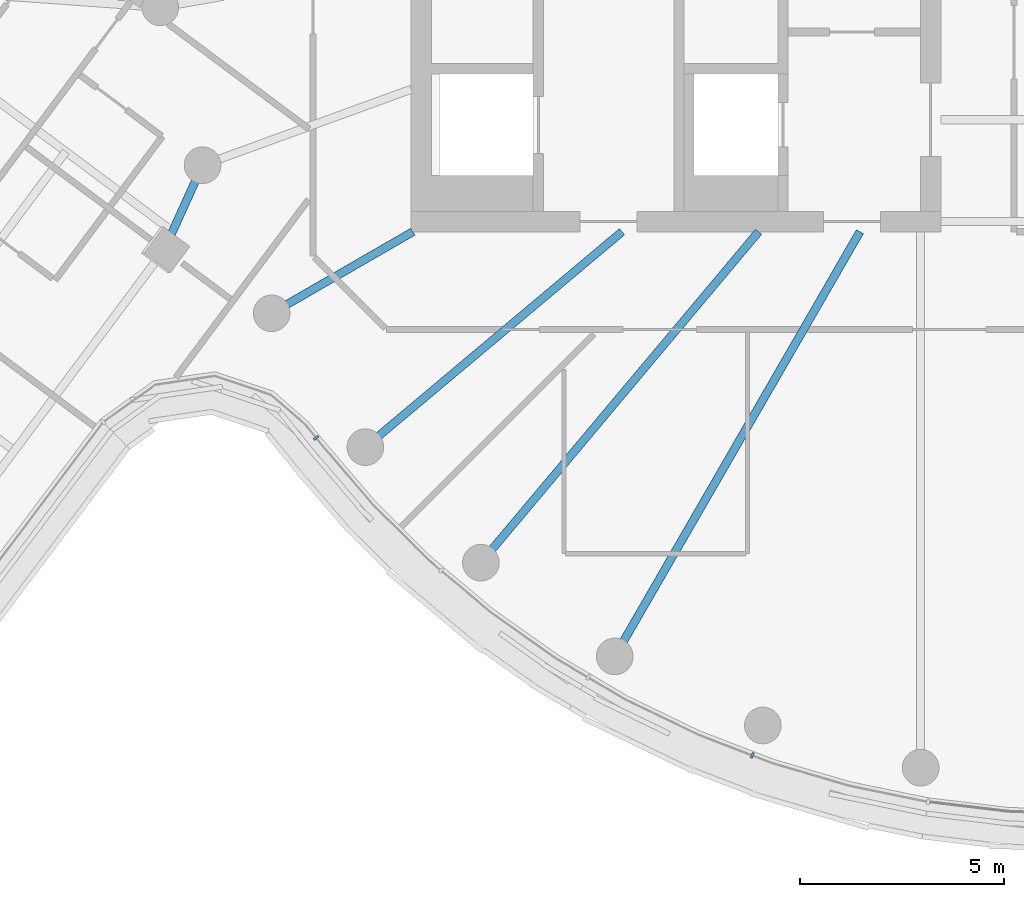
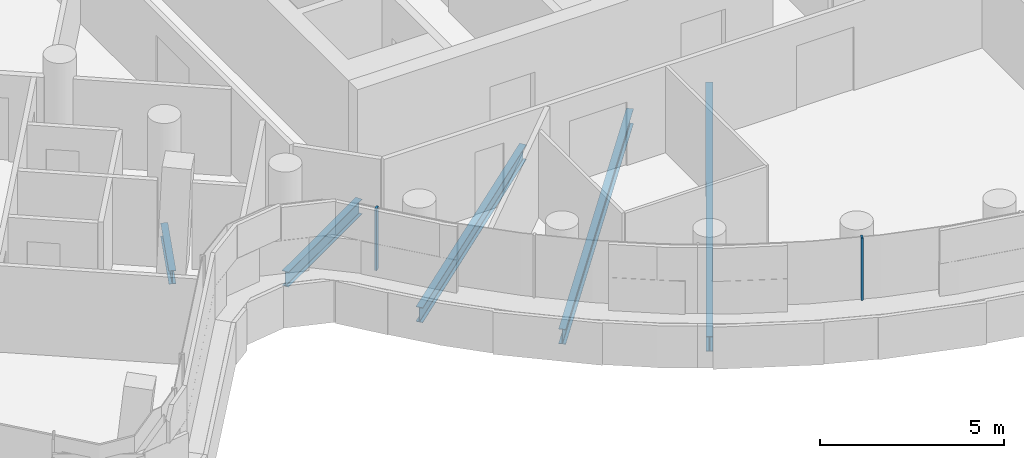
# One storey, part 3 of 27: 5 beams, 2 members, 1 element without a shape of its own.
"""IFC4 building model written with IfcOpenShell, lengths in metres."""

from ifc_helpers import new_model, si_unit, direction, frame, origin, origin_2d, place, context, subcontext, project, spatial, rectangle, i_section, extrude, material, layer, layer_set, material_profile, profile_set, type_object, element, aggregate, save


model = new_model("IFC4")

# Units and contexts
model_context = context("Model", 3, precision=1e-05, world=origin(), true_north=direction((0.0, 1.0)))
body_context = subcontext(model_context, "Body", "Model", "MODEL_VIEW")
ifc_project = project(units=[si_unit("LENGTHUNIT", "METRE"), si_unit("AREAUNIT", "SQUARE_METRE"), si_unit("VOLUMEUNIT", "CUBIC_METRE"), si_unit("PLANEANGLEUNIT", "RADIAN"), si_unit("MASSUNIT", "GRAM", prefix="KILO")], contexts=[model_context])

# Site, building, storey
site_placement = place(None, origin())
site = spatial("IfcSite", under=ifc_project, at=site_placement, CompositionType="ELEMENT")
building_placement = place(site_placement, origin())
building = spatial("IfcBuilding", under=site, at=building_placement, Name="Tamarind Cross Interchange Tower", CompositionType="ELEMENT")
storey_placement = place(building_placement, frame((0.0, 0.0, 227.10009765625)))
storey = spatial("IfcBuildingStorey", under=building, at=storey_placement, Name="L57", CompositionType="ELEMENT", Elevation=227.10009765625)

# Beams
ifc_material_1 = material(Name="Steel Q355B", Category="steel")
ifc_material_profile_1 = material_profile(ifc_material_1, i_section(OverallWidth=0.198974609375, OverallDepth=0.446044921875, WebThickness=0.008056640625, FlangeThickness=0.011962890625, FilletRadius=0.012939453125, at=origin_2d()), Name="HN 446x199x8x12")
ifc_profile_set_1 = profile_set([ifc_material_profile_1], Name="Steel Q355B")
beam_type_1 = type_object("IfcBeamType", Name="Composite beam HN 446x199x8x12 Q355B", PredefinedType="BEAM", material=ifc_profile_set_1)
beam_1_placement = place(storey_placement, frame((-22.55322265625, -9.941650390625, -0.363037109375), z_axis=(0.412680366167, 0.910875905588, 0.0), x_axis=(-0.910875905588, 0.412680366167, 0.0)))
element("IfcBeam", 1, at=beam_1_placement, inside=storey, type_object=beam_type_1, Name="Beam W-linkep", PredefinedType="BEAM", context=body_context, shape_type="SweptSolid", body=[
    extrude(i_section(OverallWidth=0.198974609375, OverallDepth=0.446044921875, WebThickness=0.008056640625, FlangeThickness=0.011962890625, FilletRadius=0.012939453125, at=origin_2d()), origin(), (0.0, 0.0, 1.0), 2.2783203125),
])
ifc_material_profile_2 = material_profile(ifc_material_1, i_section(OverallWidth=0.198974609375, OverallDepth=0.49609375, WebThickness=0.009033203125, FlangeThickness=0.013916015625, FilletRadius=0.012939453125, at=origin_2d()), Name="HN 496x199x9x14")
ifc_profile_set_2 = profile_set([ifc_material_profile_2], Name="Steel Q355B")
beam_type_2 = type_object("IfcBeamType", Name="Composite beam HN 496x199x9x14 Q355B", PredefinedType="BEAM", material=ifc_profile_set_2)
beam_2_placement = place(storey_placement, frame((-19.918701171875, -11.5, -0.38818359375), z_axis=(0.866026010844, 0.49999894854, 0.0), x_axis=(-0.49999894854, 0.866026010844, 0.0)))
element("IfcBeam", 2, at=beam_2_placement, inside=storey, type_object=beam_type_2, Name="Beam HH21", PredefinedType="BEAM", context=body_context, shape_type="SweptSolid", body=[
    extrude(i_section(OverallWidth=0.198974609375, OverallDepth=0.49609375, WebThickness=0.009033203125, FlangeThickness=0.013916015625, FilletRadius=0.012939453125, at=origin_2d()), origin(), (0.0, 0.0, 1.0), 4.0),
])
beam_3_placement = place(storey_placement, frame((-17.619140625, -14.7841796875, -0.38818359375), z_axis=(0.766040580814, 0.642792212574, 0.0), x_axis=(-0.642792212574, 0.766040580814, 0.0)))
element("IfcBeam", 3, at=beam_3_placement, inside=storey, type_object=beam_type_2, Name="Beam HH22", PredefinedType="BEAM", context=body_context, shape_type="SweptSolid", body=[
    extrude(i_section(OverallWidth=0.198974609375, OverallDepth=0.49609375, WebThickness=0.009033203125, FlangeThickness=0.013916015625, FilletRadius=0.012939453125, at=origin_2d()), origin(), (0.0, 0.0, 1.0), 8.220703125),
])
beam_4_placement = place(storey_placement, frame((-14.7841796875, -17.619140625, -0.38818359375), z_axis=(0.642786293979, 0.766045547127, 0.0), x_axis=(-0.766045547127, 0.642786293979, 0.0)))
element("IfcBeam", 4, at=beam_4_placement, inside=storey, type_object=beam_type_2, Name="Beam HH23", PredefinedType="BEAM", context=body_context, shape_type="SweptSolid", body=[
    extrude(i_section(OverallWidth=0.198974609375, OverallDepth=0.49609375, WebThickness=0.009033203125, FlangeThickness=0.013916015625, FilletRadius=0.012939453125, at=origin_2d()), origin(), (0.0, 0.0, 1.0), 10.598876953125),
])
beam_5_placement = place(storey_placement, frame((-11.5, -19.918701171875, -0.38818359375), z_axis=(0.499993565836, 0.866029118519, 0.0), x_axis=(-0.866029118519, 0.499993565836, 0.0)))
element("IfcBeam", 5, at=beam_5_placement, inside=storey, type_object=beam_type_2, Name="Beam HH24", PredefinedType="BEAM", context=body_context, shape_type="SweptSolid", body=[
    extrude(i_section(OverallWidth=0.198974609375, OverallDepth=0.49609375, WebThickness=0.009033203125, FlangeThickness=0.013916015625, FilletRadius=0.012939453125, at=origin_2d()), origin(), (0.0, 0.0, 1.0), 12.030517578125),
])

# Curtain wall, members
ifc_material_2 = material(Name="Aluminium 6063-T6", Category="aluminium")
ifc_layer = layer(ifc_material_2, 0.139892578125)
ifc_layer_set = layer_set([ifc_layer], Name="Aluminium 6063-T6")
curtain_wall_type = type_object("IfcCurtainWallType", Name="Hotel curtain wall, 4.5 m bays", PredefinedType="NOTDEFINED", material=ifc_layer_set)
curtain_wall_placement = place(storey_placement, origin())
curtain_wall = element("IfcCurtainWall", 6, at=curtain_wall_placement, inside=storey, type_object=curtain_wall_type, Name="CWS-L57-02", PredefinedType="NOTDEFINED")
ifc_material_profile_3 = material_profile(ifc_material_2, rectangle(XDim=0.06005859375, YDim=0.139892578125, at=origin_2d()), Name="Mullion CW2")
ifc_profile_set_3 = profile_set([ifc_material_profile_3], Name="Aluminium 6063-T6")
member_type = type_object("IfcMemberType", Name="Mullion CW2", PredefinedType="MULLION", material=ifc_profile_set_3)
member_1_placement = place(storey_placement, frame((-18.827880859375, -14.5576171875, 1.39990234375), z_axis=(0.0, 0.0, 1.0), x_axis=(0.629796980003, -0.776759785248, 0.0)))
member_1 = element("IfcMember", 7, at=member_1_placement, type_object=member_type, Name="CWM-L57-02-01", PredefinedType="MULLION", context=body_context, shape_type="SweptSolid", body=[
    extrude(rectangle(XDim=0.06005859375, YDim=0.139892578125, at=origin_2d()), origin(), (0.0, 0.0, 1.0), 2.06005859375),
])
member_2_placement = place(storey_placement, frame((-8.126953125, -22.347900390625, 1.39990234375), z_axis=(0.0, 0.0, 1.0), x_axis=(0.933146843667, -0.359495435512, 0.0)))
member_2 = element("IfcMember", 8, at=member_2_placement, type_object=member_type, Name="CWM-L57-02-04", PredefinedType="MULLION", context=body_context, shape_type="SweptSolid", body=[
    extrude(rectangle(XDim=0.06005859375, YDim=0.139892578125, at=origin_2d()), origin(), (0.0, 0.0, 1.0), 2.06005859375),
])
aggregate(curtain_wall, [member_1, member_2])

save(model, "model.ifc")
